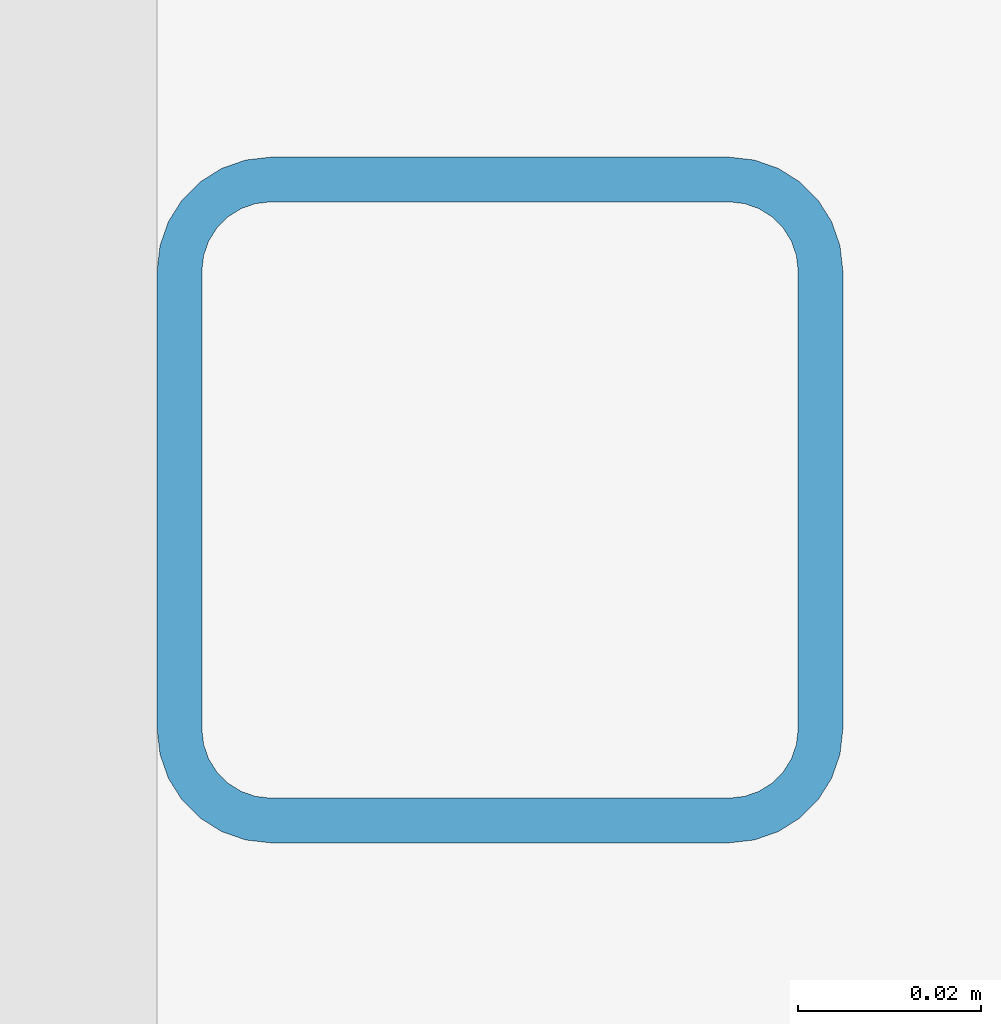
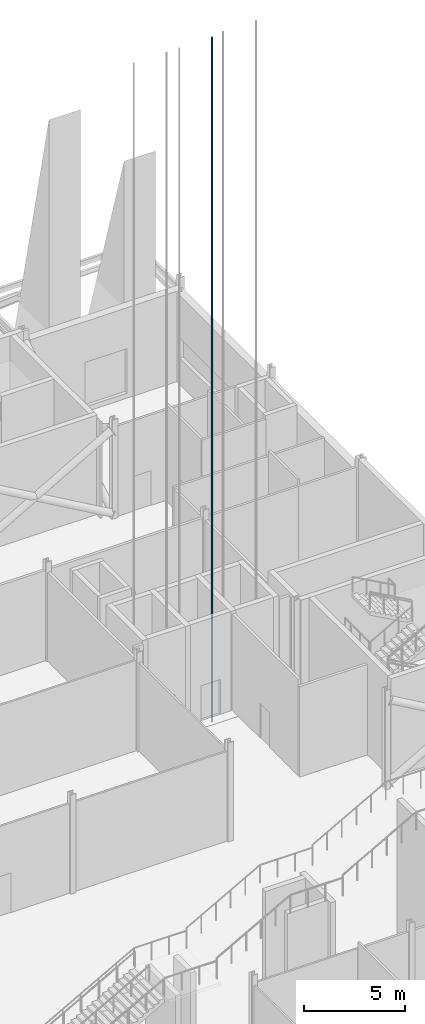
# One storey, part 65 of 139: 1 member.
"""IFC4 building model written with IfcOpenShell, lengths in metres."""

from ifc_helpers import new_model, si_unit, direction, frame, origin, origin_2d, place, context, subcontext, project, spatial, hollow_rectangle, extrude, material, material_profile, profile_set, type_object, element, save


model = new_model("IFC4")

# Units and contexts
model_context = context("Model", 3, precision=1e-05, world=origin(), true_north=direction((0.0, 1.0)))
body_context = subcontext(model_context, "Body", "Model", "MODEL_VIEW")
ifc_project = project(units=[si_unit("LENGTHUNIT", "METRE"), si_unit("AREAUNIT", "SQUARE_METRE"), si_unit("VOLUMEUNIT", "CUBIC_METRE"), si_unit("PLANEANGLEUNIT", "RADIAN"), si_unit("MASSUNIT", "GRAM", prefix="KILO")], contexts=[model_context])

# Site, building, storey
site_placement = place(None, origin())
site = spatial("IfcSite", under=ifc_project, at=site_placement, CompositionType="ELEMENT")
building_placement = place(site_placement, origin())
building = spatial("IfcBuilding", under=site, at=building_placement, Name="Shorebreak Coast Museum", CompositionType="ELEMENT")
storey_placement = place(building_placement, origin())
storey = spatial("IfcBuildingStorey", under=building, at=storey_placement, Name="L00", CompositionType="ELEMENT", Elevation=0.0)

# Member
ifc_material = material(Name="Steel Grade C450L0", Category="steel")
ifc_material_profile = material_profile(ifc_material, hollow_rectangle(XDim=0.074951171875, YDim=0.074951171875, WallThickness=0.0048828125, InnerFilletRadius=0.007568359375, OuterFilletRadius=0.012451171875, at=origin_2d()), Name="75x75x5.0 SHS")
ifc_profile_set = profile_set([ifc_material_profile], Name="Steel Grade C450L0")
member_type = type_object("IfcMemberType", Name="Lift guide rail 75x75x5.0 SHS", PredefinedType="POST", material=ifc_profile_set)
member_placement = place(storey_placement, frame((104.4375, 92.10009765625, -1.5), z_axis=(0.0, 0.0, 1.0), x_axis=(1.0, 0.0, 0.0)))
element("IfcMember", 1, at=member_placement, inside=storey, type_object=member_type, Name="Lift P4 guide rail", PredefinedType="POST", context=body_context, shape_type="SweptSolid", body=[
    extrude(hollow_rectangle(XDim=0.074951171875, YDim=0.074951171875, WallThickness=0.0048828125, InnerFilletRadius=0.007568359375, OuterFilletRadius=0.012451171875, at=origin_2d()), origin(), (0.0, 0.0, 1.0), 41.39990234375),
])

save(model, "model.ifc")
